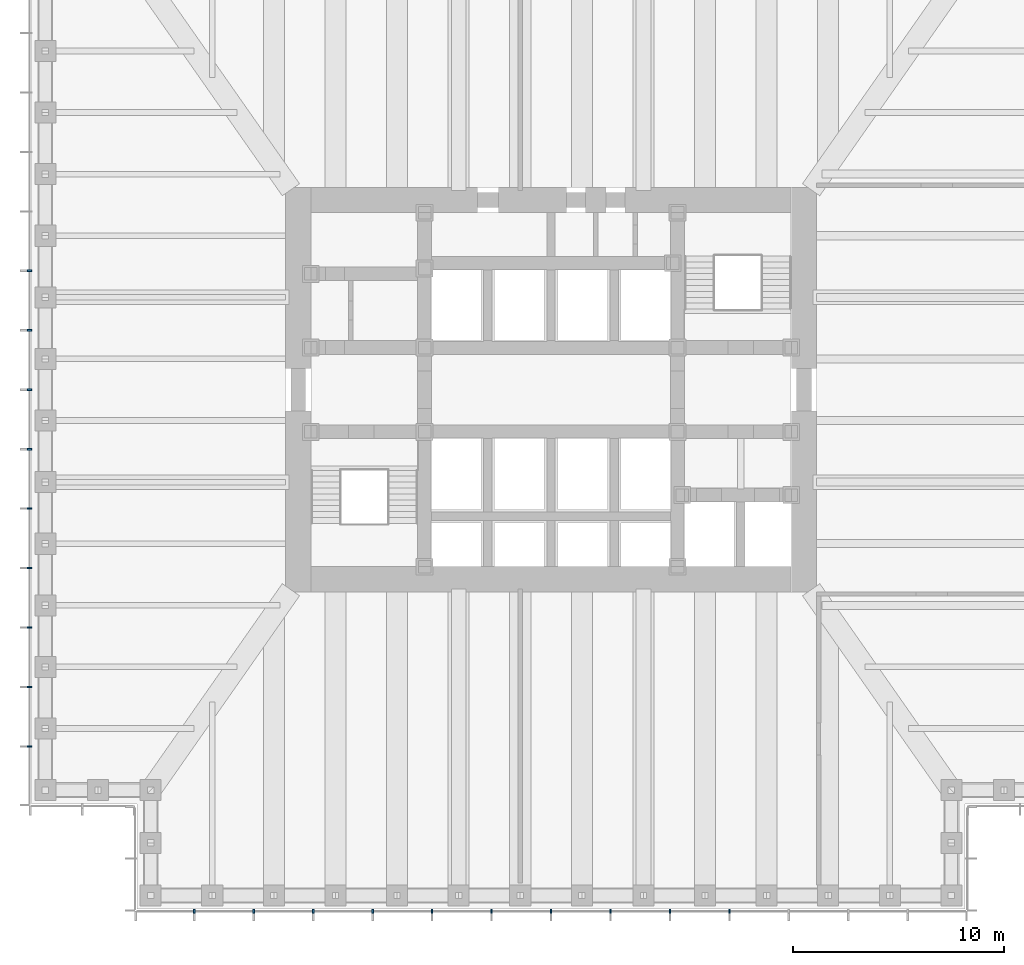
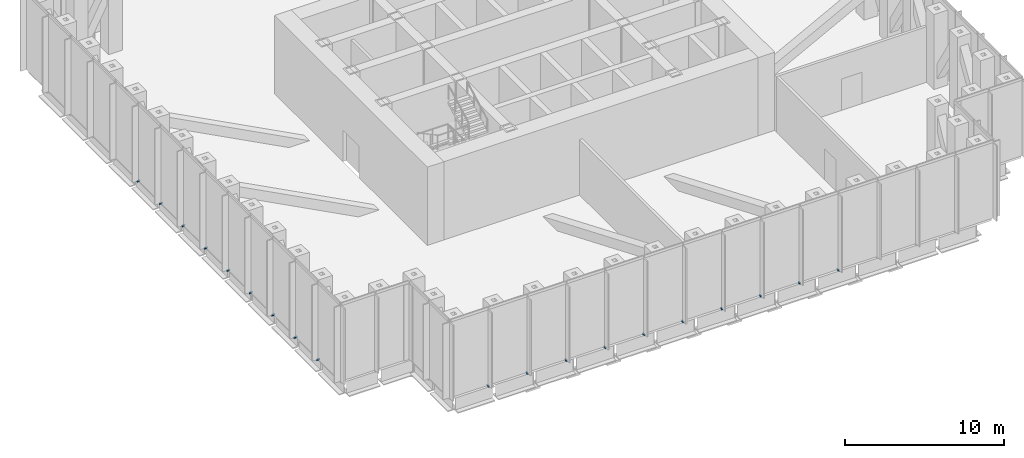
# One storey, part 11 of 15: 19 discrete accessories.
"""IFC4 building model written with IfcOpenShell, lengths in metres."""

import ifcopenshell
import ifcopenshell.guid

model = None  # the IFC model being written
_history = None  # IfcOwnerHistory: only IFC2X3 demands one
_inside = {}  # id of a spatial element -> (the spatial element, [elements in it])
_under = {}  # id of a project, library or spatial element -> (it, [spatial elements below it])
_declared = {}  # id of a project -> (the project, [libraries it declares])
_typed = {}  # id of a type object -> (the type object, [elements of that type])
_made_of = {}  # id of a material, layer set ... -> (it, [elements and type objects made of it])


def new_model(schema):
    """Start an empty IFC model of exactly this schema.

    Asked for "IFC4X3", IfcOpenShell would pick the latest addendum, in which some entities
    have other attributes; the version numbers below select the first issue.
    IFC2X3 requires an IfcOwnerHistory on every rooted entity: one is made here for all.
    """
    global model, _history
    if schema == "IFC4X3":
        model = ifcopenshell.file(schema_version=(4, 3, 0, 0))
    else:
        model = ifcopenshell.file(schema=schema)
    _inside.clear()
    _under.clear()
    _declared.clear()
    _typed.clear()
    _made_of.clear()
    _history = None
    if model.schema == "IFC2X3":
        org = make("IfcOrganization", Name="unknown")
        user = make(
            "IfcPersonAndOrganization",
            ThePerson=make("IfcPerson", FamilyName="unknown"),
            TheOrganization=org,
        )
        app = make(
            "IfcApplication",
            ApplicationDeveloper=org,
            Version="unknown",
            ApplicationFullName="unknown",
            ApplicationIdentifier="unknown",
        )
        _history = make(
            "IfcOwnerHistory",
            OwningUser=user,
            OwningApplication=app,
            ChangeAction="ADDED",
            CreationDate=0,
        )
    return model


def make(cls, **values):
    """One entity of the class cls with the attributes given. An attribute that is None is left unset."""
    return model.create_entity(
        cls, **{name: value for name, value in values.items() if value is not None}
    )


def rooted(cls, **values):
    """An entity with a GlobalId (a new one), such as an element, a storey or a relation."""
    return make(cls, GlobalId=ifcopenshell.guid.new(), OwnerHistory=_history, **values)


def si_unit(unit_type, name, prefix=None):
    """IfcSIUnit, for example si_unit("LENGTHUNIT", "METRE", prefix="MILLI")."""
    return make("IfcSIUnit", UnitType=unit_type, Prefix=prefix, Name=name)


def assignment(units):
    """IfcUnitAssignment: the units of a project."""
    return None if units is None else make("IfcUnitAssignment", Units=units)


def point(xyz):
    """IfcCartesianPoint."""
    return None if xyz is None else make("IfcCartesianPoint", Coordinates=xyz)


def direction(xyz):
    """IfcDirection."""
    return None if xyz is None else make("IfcDirection", DirectionRatios=xyz)


def frame(location, z_axis=None, x_axis=None):
    """IfcAxis2Placement3D, a coordinate frame: its origin and axes. An axis left out is left unset."""
    return make(
        "IfcAxis2Placement3D",
        Location=point(location),
        Axis=direction(z_axis),
        RefDirection=direction(x_axis),
    )


def frame_2d(location, x_axis=None):
    """IfcAxis2Placement2D, a coordinate frame in the plane: its origin and x axis."""
    return make(
        "IfcAxis2Placement2D", Location=point(location), RefDirection=direction(x_axis)
    )


def origin():
    """The frame at (0, 0, 0) with its axes left unset."""
    return frame((0.0, 0.0, 0.0))


def origin_2d():
    """The frame at (0, 0) in the plane with its x axis left unset."""
    return frame_2d((0.0, 0.0))


def place(relative_to, where):
    """IfcLocalPlacement: puts the frame where relative to a parent placement (None: the world)."""
    return make(
        "IfcLocalPlacement", PlacementRelTo=relative_to, RelativePlacement=where
    )


def context(
    kind, dimensions, precision=None, world=None, true_north=None, identifier=None
):
    """IfcGeometricRepresentationContext, for example the 3D "Model" context."""
    return make(
        "IfcGeometricRepresentationContext",
        ContextIdentifier=identifier,
        ContextType=kind,
        CoordinateSpaceDimension=dimensions,
        Precision=precision,
        WorldCoordinateSystem=world,
        TrueNorth=true_north,
    )


def subcontext(parent, identifier, kind, view, scale=None):
    """IfcGeometricRepresentationSubContext, for example "Body" below "Model"."""
    return make(
        "IfcGeometricRepresentationSubContext",
        ContextIdentifier=identifier,
        ContextType=kind,
        ParentContext=parent,
        TargetScale=scale,
        TargetView=view,
    )


def project(units=None, contexts=None):
    """IfcProject with its units and contexts."""
    return rooted(
        "IfcProject",
        Name="project",
        RepresentationContexts=contexts,
        UnitsInContext=assignment(units),
    )


def spatial(cls, under=None, at=None, **own):
    """A site, building, storey or space (cls), placed at a placement, below another one or the project."""
    s = rooted(cls, ObjectPlacement=at, **own)
    if under is not None:
        _under.setdefault(under.id(), (under, []))[1].append(s)
    return s


def profile(cls, at=None, kind="AREA", **sizes):
    """A parametric profile (cls). Its sizes go by their IFC names, for example OverallWidth=200.0."""
    return make(cls, ProfileType=kind, Position=at, **sizes)


def rectangle(**sizes):
    """IfcRectangleProfileDef."""
    return profile("IfcRectangleProfileDef", **sizes)


def extrude(swept, where, along, depth):
    """IfcExtrudedAreaSolid: the profile swept, set in the frame where, extruded along a direction by depth."""
    return make(
        "IfcExtrudedAreaSolid",
        SweptArea=swept,
        Position=where,
        ExtrudedDirection=direction(along),
        Depth=depth,
    )


def shape(context_of_items, identifier, shape_type, items):
    """IfcShapeRepresentation: the items that make up one representation, for example the "Body"."""
    return make(
        "IfcShapeRepresentation",
        ContextOfItems=context_of_items,
        RepresentationIdentifier=identifier,
        RepresentationType=shape_type,
        Items=items,
    )


def made_of(thing, what):
    """Note that an element or type object is made of a material, layer set ...; save() writes the relation."""
    if what is not None:
        _made_of.setdefault(what.id(), (what, []))[1].append(thing)
    return thing


def element(
    cls,
    number,
    at=None,
    inside=None,
    cuts=None,
    type_object=None,
    material=None,
    context=None,
    identifier="Body",
    shape_type=None,
    held_by="IfcProductDefinitionShape",
    body=None,
    shapes=None,
    **own,
):
    """One element of the class cls, such as IfcWall. Its Tag is "e" and its number.

    at: its placement. inside: the storey or other place that contains it. cuts: it is an
    opening in that element (IfcRelVoidsElement). A single representation is given by context,
    identifier, shape_type and body (its items); several are given by shapes. held_by: the class
    of the entity that holds the representations. save() writes the other relations.
    """
    e = rooted(cls, Tag="e%d" % number, ObjectPlacement=at, **own)
    if body is not None:
        shapes = [shape(context, identifier, shape_type, body)]
    if shapes is not None:
        e.Representation = make(held_by, Representations=shapes)
    if inside is not None:
        _inside.setdefault(inside.id(), (inside, []))[1].append(e)
    if cuts is not None:
        rooted(
            "IfcRelVoidsElement", RelatingBuildingElement=cuts, RelatedOpeningElement=e
        )
    if type_object is not None:
        _typed.setdefault(type_object.id(), (type_object, []))[1].append(e)
    return made_of(e, material)


def aggregate(whole, parts):
    """IfcRelAggregates: a whole, such as a stair, and the parts it consists of."""
    return rooted("IfcRelAggregates", RelatingObject=whole, RelatedObjects=parts)


def save(model, path):
    """Write the relations noted so far, then the file.

    IfcRelAggregates (storeys below a building ...), IfcRelContainedInSpatialStructure (elements
    in a storey), IfcRelDefinesByType, IfcRelAssociatesMaterial and IfcRelDeclares: one each for
    every whole, place, type object, material and project.
    """
    for whole, parts in _under.values():
        aggregate(whole, parts)
    for where, things in _inside.values():
        rooted(
            "IfcRelContainedInSpatialStructure",
            RelatedElements=things,
            RelatingStructure=where,
        )
    for kind, things in _typed.values():
        rooted("IfcRelDefinesByType", RelatedObjects=things, RelatingType=kind)
    for what, things in _made_of.values():
        rooted("IfcRelAssociatesMaterial", RelatedObjects=things, RelatingMaterial=what)
    for by, libraries in _declared.values():
        rooted("IfcRelDeclares", RelatingContext=by, RelatedDefinitions=libraries)
    model.write(path)


model = new_model("IFC4")

# Units and contexts
model_context = context("Model", 3, precision=1e-05, world=origin(), true_north=direction((0.0, 1.0)))
body_context = subcontext(model_context, "Body", "Model", "MODEL_VIEW")
ifc_project = project(units=[si_unit("LENGTHUNIT", "METRE"), si_unit("AREAUNIT", "SQUARE_METRE"), si_unit("VOLUMEUNIT", "CUBIC_METRE"), si_unit("PLANEANGLEUNIT", "RADIAN"), si_unit("MASSUNIT", "GRAM", prefix="KILO")], contexts=[model_context])

# Site, building, storey
site_placement = place(None, origin())
site = spatial("IfcSite", under=ifc_project, at=site_placement, CompositionType="ELEMENT")
building_placement = place(site_placement, origin())
building = spatial("IfcBuilding", under=site, at=building_placement, Name="Daluyong Arena Tower", CompositionType="ELEMENT")
storey_placement = place(building_placement, frame((0.0, 0.0, 102.10009765625)))
storey = spatial("IfcBuildingStorey", under=building, at=storey_placement, Name="L22", CompositionType="ELEMENT", Elevation=102.10009765625)

# Discrete accessories
for number, where, z_axis, x_axis, name in (
    (1, (39.071533203125, 55.25, -0.10009765625), (0.0, 0.0, 1.0), (1.0, 0.0, 0.0), "curtain wall L22 S anchor bracket 2"),
    (2, (41.892822265625, 55.25, -0.10009765625), (0.0, 0.0, 1.0), (1.0, 0.0, 0.0), "curtain wall L22 S anchor bracket 3"),
    (3, (44.71435546875, 55.25, -0.10009765625), (0.0, 0.0, 1.0), (1.0, 0.0, 0.0), "curtain wall L22 S anchor bracket 4"),
    (4, (47.53564453125, 55.25, -0.10009765625), (0.0, 0.0, 1.0), (1.0, 0.0, 0.0), "curtain wall L22 S anchor bracket 5"),
    (5, (50.357177734375, 55.25, -0.10009765625), (0.0, 0.0, 1.0), (1.0, 0.0, 0.0), "curtain wall L22 S anchor bracket 6"),
    (6, (53.178466796875, 55.25, -0.10009765625), (0.0, 0.0, 1.0), (1.0, 0.0, 0.0), "curtain wall L22 S anchor bracket 7"),
    (7, (56.0, 55.25, -0.10009765625), (0.0, 0.0, 1.0), (1.0, 0.0, 0.0), "curtain wall L22 S anchor bracket 8"),
    (8, (58.821533203125, 55.25, -0.10009765625), (0.0, 0.0, 1.0), (1.0, 0.0, 0.0), "curtain wall L22 S anchor bracket 9"),
    (9, (61.642822265625, 55.25, -0.10009765625), (0.0, 0.0, 1.0), (1.0, 0.0, 0.0), "curtain wall L22 S anchor bracket 10"),
    (10, (64.46435546875, 55.25, -0.10009765625), (0.0, 0.0, 1.0), (1.0, 0.0, 0.0), "curtain wall L22 S anchor bracket 11"),
    (11, (31.25, 85.642822265625, -0.10009765625), (0.0, 0.0, 1.0), (0.0, -1.0, 0.0), "curtain wall L22 W anchor bracket 6"),
    (12, (31.25, 82.821533203125, -0.10009765625), (0.0, 0.0, 1.0), (0.0, -1.0, 0.0), "curtain wall L22 W anchor bracket 7"),
    (13, (31.25, 80.0, -0.10009765625), (0.0, 0.0, 1.0), (0.0, -1.0, 0.0), "curtain wall L22 W anchor bracket 8"),
    (14, (31.25, 77.178466796875, -0.10009765625), (0.0, 0.0, 1.0), (0.0, -1.0, 0.0), "curtain wall L22 W anchor bracket 9"),
    (15, (31.25, 74.357177734375, -0.10009765625), (0.0, 0.0, 1.0), (0.0, -1.0, 0.0), "curtain wall L22 W anchor bracket 10"),
    (16, (31.25, 71.53564453125, -0.10009765625), (0.0, 0.0, 1.0), (0.0, -1.0, 0.0), "curtain wall L22 W anchor bracket 11"),
    (17, (31.25, 68.71435546875, -0.10009765625), (0.0, 0.0, 1.0), (0.0, -1.0, 0.0), "curtain wall L22 W anchor bracket 12"),
    (18, (31.25, 65.892822265625, -0.10009765625), (0.0, 0.0, 1.0), (0.0, -1.0, 0.0), "curtain wall L22 W anchor bracket 13"),
    (19, (31.25, 63.071533203125, -0.10009765625), (0.0, 0.0, 1.0), (0.0, -1.0, 0.0), "curtain wall L22 W anchor bracket 14"),
):
    element("IfcDiscreteAccessory", number, at=place(storey_placement, frame(where, z_axis=z_axis, x_axis=x_axis)), inside=storey, Name=name, PredefinedType="BRACKET", context=body_context, shape_type="SweptSolid", body=[
        extrude(rectangle(XDim=0.080078125, YDim=0.199951171875, at=origin_2d()), origin(), (0.0, 0.0, 1.0), 0.10009765625),
    ])

save(model, "model.ifc")
